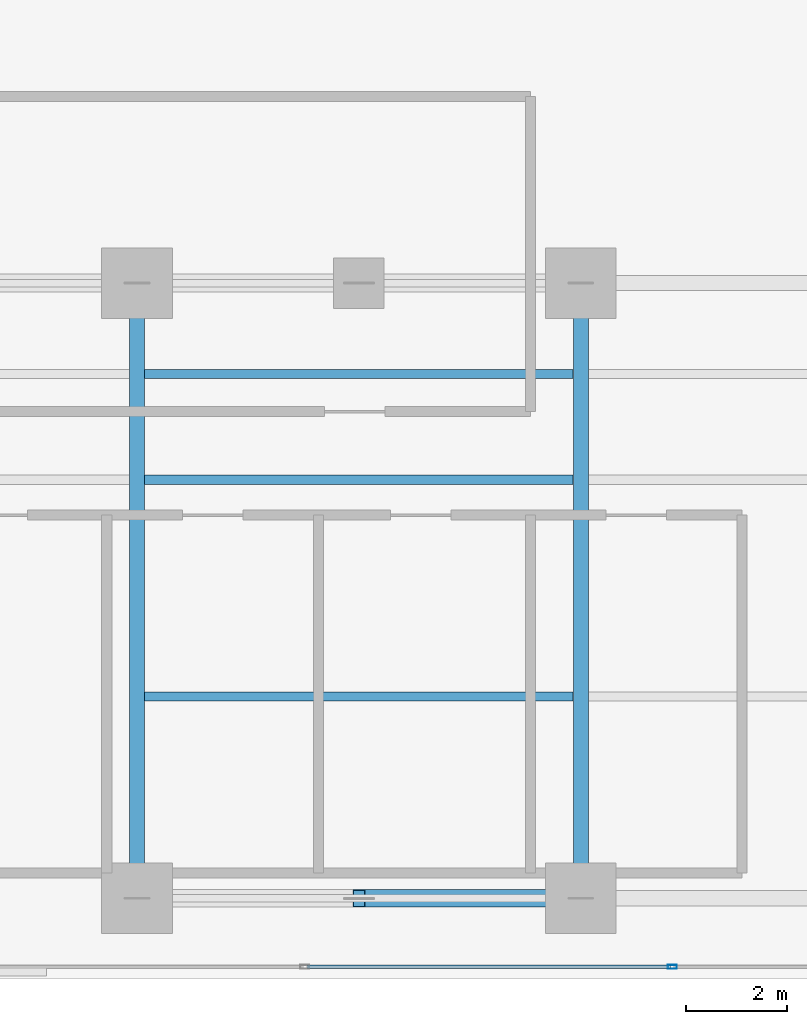
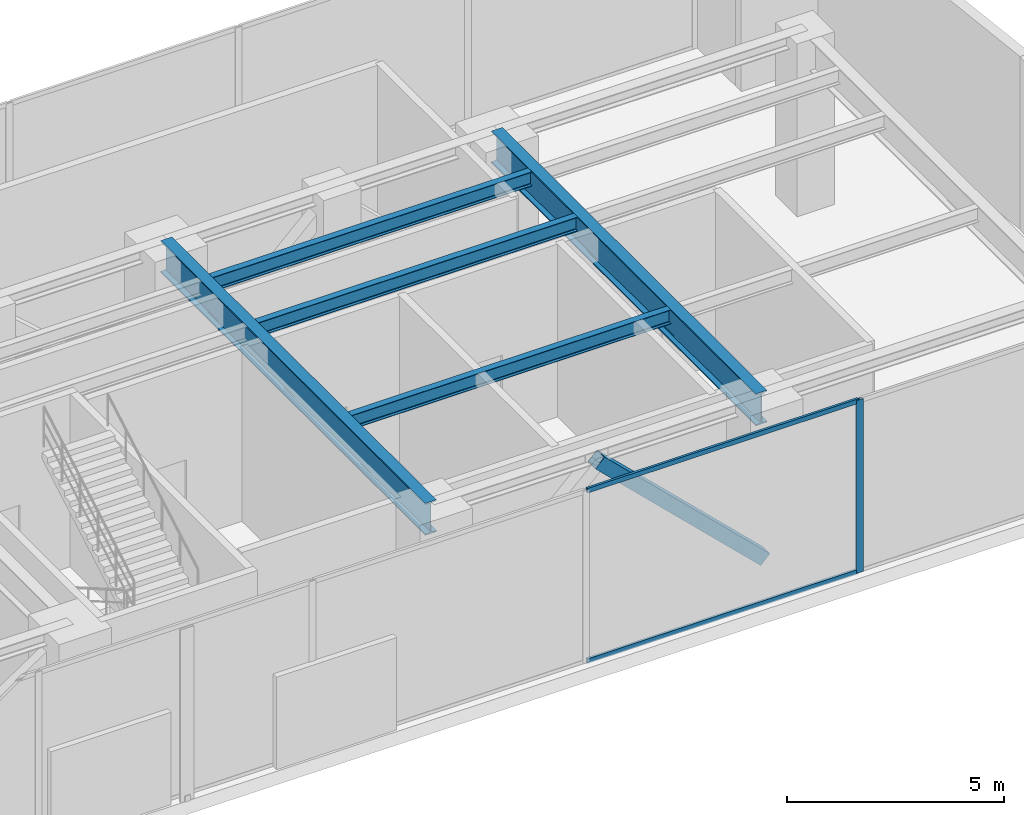
# One storey, part 15 of 37: 5 beams, 4 members, 1 element without a shape of its own.
"""IFC4 building model written with IfcOpenShell, lengths in metres."""

from ifc_helpers import new_model, si_unit, direction, frame, origin, origin_with_axes, origin_2d, place, context, subcontext, project, spatial, hollow_rectangle, i_section, extrude, source, transform, mapped, material, layer, layer_set, material_profile, profile_set, type_object, element, aggregate, save


model = new_model("IFC4")

# Units and contexts
model_context = context("Model", 3, precision=1e-05, world=origin(), true_north=direction((0.0, 1.0)))
body_context = subcontext(model_context, "Body", "Model", "MODEL_VIEW")
ifc_project = project(units=[si_unit("LENGTHUNIT", "METRE"), si_unit("AREAUNIT", "SQUARE_METRE"), si_unit("VOLUMEUNIT", "CUBIC_METRE"), si_unit("PLANEANGLEUNIT", "RADIAN"), si_unit("MASSUNIT", "GRAM", prefix="KILO")], contexts=[model_context])

# Site, building, storey
site_placement = place(None, origin())
site = spatial("IfcSite", under=ifc_project, at=site_placement, CompositionType="ELEMENT")
building_placement = place(site_placement, origin())
building = spatial("IfcBuilding", under=site, at=building_placement, Name="Kolvaren Waterfront Exchange", CompositionType="ELEMENT")
storey_placement = place(building_placement, frame((0.0, 0.0, 141.10009765625)))
storey = spatial("IfcBuildingStorey", under=building, at=storey_placement, Name="L36", CompositionType="ELEMENT", Elevation=141.10009765625)

# Beams
ifc_material_1 = material(Name="Steel S355", Category="steel")
ifc_material_profile_1 = material_profile(ifc_material_1, i_section(OverallWidth=0.300048828125, OverallDepth=0.89990234375, WebThickness=0.0185546875, FlangeThickness=0.034912109375, FilletRadius=0.030029296875, at=origin_2d()), Name="HEB900")
ifc_profile_set_1 = profile_set([ifc_material_profile_1], Name="Steel S355")
beam_type_1 = type_object("IfcBeamType", Name="STR-BM-HEB900", PredefinedType="BEAM", material=ifc_profile_set_1)
for number, where, z_axis, x_axis, name in (
    (1, (36.800048828125, 5.199951171875, 4.409912109375), (0.0, 1.0, 0.0), (-1.0, 0.0, 0.0), "L36 east-arm transverse girder X36"),
    (2, (45.60009765625, 5.199951171875, 4.409912109375), (0.0, 1.0, 0.0), (-1.0, 0.0, 0.0), "L36 east-arm transverse girder X45"),
):
    element("IfcBeam", number, at=place(storey_placement, frame(where, z_axis=z_axis, x_axis=x_axis)), inside=storey, type_object=beam_type_1, Name=name, PredefinedType="BEAM", context=body_context, shape_type="SweptSolid", body=[
        extrude(i_section(OverallWidth=0.300048828125, OverallDepth=0.89990234375, WebThickness=0.0185546875, FlangeThickness=0.034912109375, FilletRadius=0.030029296875, at=origin_2d()), origin(), (0.0, 0.0, 1.0), 12.199951171875),
    ])
ifc_material_profile_2 = material_profile(ifc_material_1, i_section(OverallWidth=0.179931640625, OverallDepth=0.39990234375, WebThickness=0.008544921875, FlangeThickness=0.013427734375, FilletRadius=0.02099609375, at=origin_2d()), Name="IPE400")
ifc_profile_set_2 = profile_set([ifc_material_profile_2], Name="Steel S355")
beam_type_2 = type_object("IfcBeamType", Name="STR-BM-IPE400", PredefinedType="JOIST", material=ifc_profile_set_2)
for number, where, z_axis, x_axis, name in (
    (3, (36.951904296875, 13.5, 4.659912109375), (1.0, 0.0, 0.0), (0.0, 1.0, 0.0), "L36 east-arm composite joist 3A"),
    (4, (36.951904296875, 15.60009765625, 4.659912109375), (1.0, 0.0, 0.0), (0.0, 1.0, 0.0), "L36 east-arm composite joist 3C"),
    (5, (36.951904296875, 9.199951171875, 4.659912109375), (1.0, 0.0, 0.0), (0.0, 1.0, 0.0), "L36 east-arm composite joist 3B"),
):
    element("IfcBeam", number, at=place(storey_placement, frame(where, z_axis=z_axis, x_axis=x_axis)), inside=storey, type_object=beam_type_2, Name=name, PredefinedType="JOIST", context=body_context, shape_type="SweptSolid", body=[
        extrude(i_section(OverallWidth=0.179931640625, OverallDepth=0.39990234375, WebThickness=0.008544921875, FlangeThickness=0.013427734375, FilletRadius=0.02099609375, at=origin_2d()), origin(), (0.0, 0.0, 1.0), 8.49609375),
    ])

# Member
ifc_material_2 = material(Name="Steel S460", Category="steel")
ifc_material_profile_3 = material_profile(ifc_material_2, hollow_rectangle(XDim=0.35009765625, YDim=0.35009765625, WallThickness=0.01611328125, at=origin_2d()), Name="SHS350x350x16")
ifc_profile_set_3 = profile_set([ifc_material_profile_3], Name="Steel S460")
member_type_1 = type_object("IfcMemberType", Name="STR-BR-SHS350", PredefinedType="BRACE", material=ifc_profile_set_3)
member_1_placement = place(storey_placement, frame((45.60009765625, 5.199951171875, 0.25), z_axis=(-0.718454968031, 0.0, 0.695573474847), x_axis=(0.0, -1.0, 0.0)))
element("IfcMember", 6, at=member_1_placement, inside=storey, type_object=member_type_1, Name="L36 belt-truss chevron brace BT3R", PredefinedType="BRACE", context=body_context, shape_type="SweptSolid", body=[
    extrude(hollow_rectangle(XDim=0.35009765625, YDim=0.35009765625, WallThickness=0.01611328125, at=origin_2d()), origin(), (0.0, 0.0, 1.0), 6.12451171875),
])

# Curtain wall, members
ifc_material_3 = material(Name="Anodised dark bronze spandrel aluminium", Category="aluminium")
ifc_layer = layer(ifc_material_3, 0.219970703125, Name="Anodised dark bronze spandrel aluminium")
ifc_layer_set = layer_set([ifc_layer], Name="Anodised dark bronze spandrel aluminium")
curtain_wall_type = type_object("IfcCurtainWallType", Name="ARC-CW-SYS6", PredefinedType="USERDEFINED", material=ifc_layer_set)
curtain_wall_placement = place(storey_placement, origin())
curtain_wall = element("IfcCurtainWall", 7, at=curtain_wall_placement, inside=storey, type_object=curtain_wall_type, Name="L36 stick curtain wall CW6 (CW-L36-S)", ObjectType="STICK CURTAIN WALL", PredefinedType="USERDEFINED")
ifc_material_4 = material(Name="Anodised bronze aluminium 6063-T6", Category="aluminium")
ifc_material_profile_4 = material_profile(ifc_material_4, hollow_rectangle(XDim=0.074951171875, YDim=0.179931640625, WallThickness=0.00439453125, at=origin_2d()), Name="ALU-MUL-180x75x4.5")
ifc_profile_set_4 = profile_set([ifc_material_profile_4], Name="Anodised bronze aluminium 6063-T6")
member_type_2 = type_object("IfcMemberType", Name="ARC-CWM-180", PredefinedType="MULLION", material=ifc_profile_set_4)
shared_shape_1 = source(origin_with_axes(), body_context, "Body", "SweptSolid", [
    extrude(hollow_rectangle(XDim=0.074951171875, YDim=0.179931640625, WallThickness=0.00439453125, at=origin_2d()), origin(), (0.0, 0.0, 1.0), 4.85986328125),
])
member_2_placement = place(storey_placement, frame((47.414306640625, 3.840087890625, 0.0), z_axis=(0.0, 0.0, 1.0), x_axis=(0.0, 1.0, 0.0)))
member_2 = element("IfcMember", 8, at=member_2_placement, type_object=member_type_2, Name="CW6 mullion 7", PredefinedType="MULLION", context=body_context, shape_type="MappedRepresentation", body=[
    mapped(shared_shape_1, transform((0.0, 0.0, 0.0), x_axis=(1.0, 0.0, 0.0), y_axis=(0.0, 1.0, 0.0), z_axis=(0.0, 0.0, 1.0), scale=1.0)),
])
ifc_material_profile_5 = material_profile(ifc_material_4, hollow_rectangle(XDim=0.06494140625, YDim=0.1298828125, WallThickness=0.00390625, at=origin_2d()), Name="ALU-TRN-130x65x4")
ifc_profile_set_5 = profile_set([ifc_material_profile_5], Name="Anodised bronze aluminium 6063-T6")
member_type_3 = type_object("IfcMemberType", Name="ARC-CWT-130", PredefinedType="USERDEFINED", material=ifc_profile_set_5)
shared_shape_2 = source(origin_with_axes(), body_context, "Body", "SweptSolid", [
    extrude(hollow_rectangle(XDim=0.06494140625, YDim=0.1298828125, WallThickness=0.00390625, at=origin_2d()), origin(), (0.0, 0.0, 1.0), 7.210693359375),
])
member_3_placement = place(storey_placement, frame((40.166015625, 3.840087890625, 0.032470703125), z_axis=(1.0, 0.0, 0.0), x_axis=(0.0, 1.0, 0.0)))
member_3 = element("IfcMember", 9, at=member_3_placement, type_object=member_type_3, Name="CW6 transom 6.1", ObjectType="TRANSOM", PredefinedType="USERDEFINED", context=body_context, shape_type="MappedRepresentation", body=[
    mapped(shared_shape_2, transform((0.0, 0.0, 0.0), x_axis=(1.0, 0.0, 0.0), y_axis=(0.0, 1.0, 0.0), z_axis=(0.0, 0.0, 1.0), scale=1.0)),
])
member_4_placement = place(storey_placement, frame((40.166015625, 3.840087890625, 4.827392578125), z_axis=(1.0, 0.0, 0.0), x_axis=(0.0, 1.0, 0.0)))
member_4 = element("IfcMember", 10, at=member_4_placement, type_object=member_type_3, Name="CW6 transom 6.2", ObjectType="TRANSOM", PredefinedType="USERDEFINED", context=body_context, shape_type="MappedRepresentation", body=[
    mapped(shared_shape_2, transform((0.0, 0.0, 0.0), x_axis=(1.0, 0.0, 0.0), y_axis=(0.0, 1.0, 0.0), z_axis=(0.0, 0.0, 1.0), scale=1.0)),
])
aggregate(curtain_wall, [member_2, member_3, member_4])

save(model, "model.ifc")
